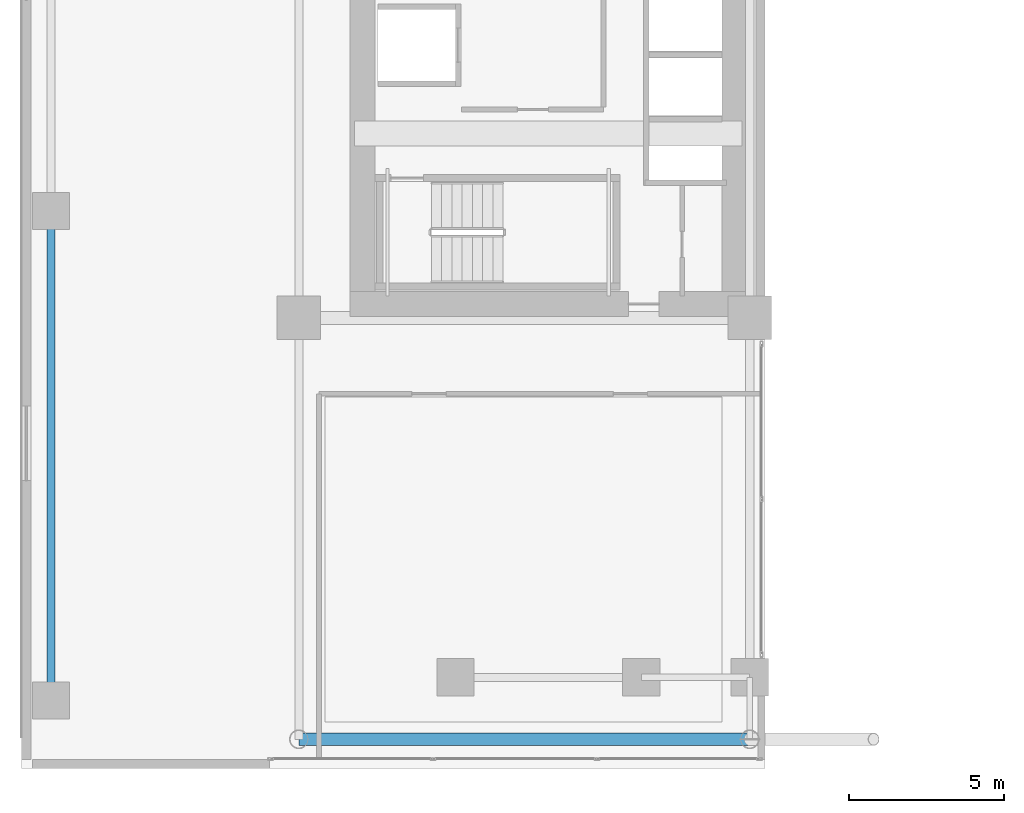
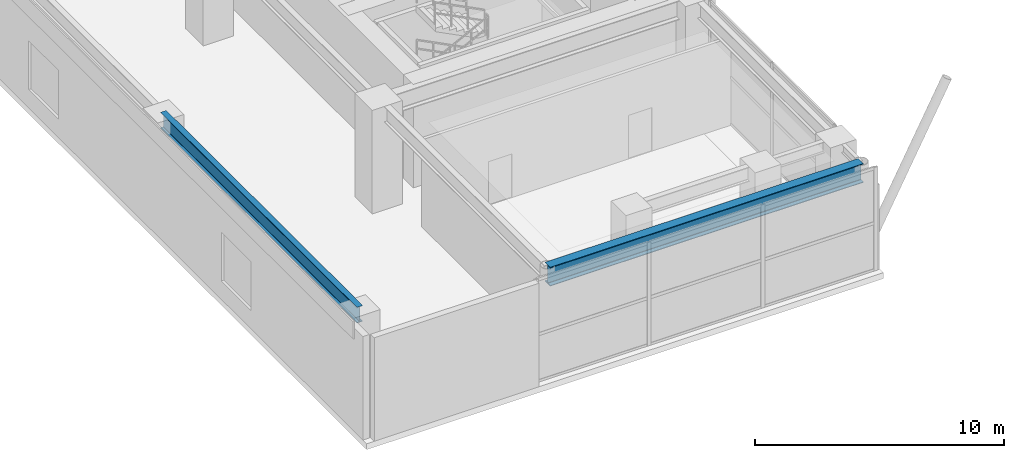
# One storey, part 4 of 29: 2 beams.
"""IFC4 building model written with IfcOpenShell, lengths in metres."""

from ifc_helpers import new_model, si_unit, direction, frame, origin, origin_2d, place, context, subcontext, project, spatial, i_section, extrude, source, transform, mapped, material, material_profile, profile_set, type_object, element, save


model = new_model("IFC4")

# Units and contexts
model_context = context("Model", 3, precision=1e-05, world=origin(), true_north=direction((0.0, 1.0)))
body_context = subcontext(model_context, "Body", "Model", "MODEL_VIEW")
ifc_project = project(units=[si_unit("LENGTHUNIT", "METRE"), si_unit("AREAUNIT", "SQUARE_METRE"), si_unit("VOLUMEUNIT", "CUBIC_METRE"), si_unit("PLANEANGLEUNIT", "RADIAN"), si_unit("MASSUNIT", "GRAM", prefix="KILO")], contexts=[model_context])

# Site, building, storey
site_placement = place(None, origin())
site = spatial("IfcSite", under=ifc_project, at=site_placement, CompositionType="ELEMENT")
building_placement = place(site_placement, origin())
building = spatial("IfcBuilding", under=site, at=building_placement, Name="Ocotamira Hotel", CompositionType="ELEMENT")
storey_placement = place(building_placement, frame((0.0, 0.0, 6.0)))
storey = spatial("IfcBuildingStorey", under=building, at=storey_placement, Name="L02", CompositionType="ELEMENT", Elevation=6.0)

# Beams
ifc_material = material(Name="Steel ASTM A992 Grade 50", Category="steel")
ifc_material_profile_1 = material_profile(ifc_material, i_section(OverallWidth=0.41796875, OverallDepth=0.927001953125, WebThickness=0.019287109375, FlangeThickness=0.031982421875, FilletRadius=0.02392578125, at=origin_2d()), Name="W36X231")
ifc_profile_set_1 = profile_set([ifc_material_profile_1], Name="Steel ASTM A992 Grade 50")
beam_type_1 = type_object("IfcBeamType", Name="BM-GIRD-W36X231", PredefinedType="BEAM", material=ifc_profile_set_1)
shared_shape_1 = source(origin(), body_context, "Body", "SweptSolid", [
    extrude(i_section(OverallWidth=0.41796875, OverallDepth=0.927001953125, WebThickness=0.019287109375, FlangeThickness=0.031982421875, FilletRadius=0.02392578125, at=origin_2d()), origin(), (0.0, 0.0, 1.0), 14.550048828125),
])
beam_1_placement = place(storey_placement, frame((8.949951171875, 0.949951171875, 4.616455078125), z_axis=(1.0, 0.0, 0.0), x_axis=(0.0, 1.0, 0.0)))
element("IfcBeam", 1, at=beam_1_placement, inside=storey, type_object=beam_type_1, Name="L02 Girder Y0.95 X8.95-23.5", PredefinedType="BEAM", context=body_context, shape_type="MappedRepresentation", body=[
    mapped(shared_shape_1, transform((0.0, 0.0, 0.0), scale=1.0)),
])
ifc_material_profile_2 = material_profile(ifc_material, i_section(OverallWidth=0.26611328125, OverallDepth=0.779052734375, WebThickness=0.0166015625, FlangeThickness=0.030029296875, FilletRadius=0.01806640625, at=origin_2d()), Name="W30X148")
ifc_profile_set_2 = profile_set([ifc_material_profile_2], Name="Steel ASTM A992 Grade 50")
beam_type_2 = type_object("IfcBeamType", Name="BM-GIRD-W30X148", PredefinedType="BEAM", material=ifc_profile_set_2)
shared_shape_2 = source(origin(), body_context, "Body", "SweptSolid", [
    extrude(i_section(OverallWidth=0.26611328125, OverallDepth=0.779052734375, WebThickness=0.0166015625, FlangeThickness=0.030029296875, FilletRadius=0.01806640625, at=origin_2d()), origin(), (0.0, 0.0, 1.0), 15.800048828125),
])
beam_2_placement = place(storey_placement, frame((0.949951171875, 2.199951171875, 4.6904296875), z_axis=(0.0, 1.0, 0.0), x_axis=(-1.0, 0.0, 0.0)))
element("IfcBeam", 2, at=beam_2_placement, inside=storey, type_object=beam_type_2, Name="L02 Beam X0.95 Y2.2-18", PredefinedType="BEAM", context=body_context, shape_type="MappedRepresentation", body=[
    mapped(shared_shape_2, transform((0.0, 0.0, 0.0), scale=1.0)),
])

save(model, "model.ifc")
